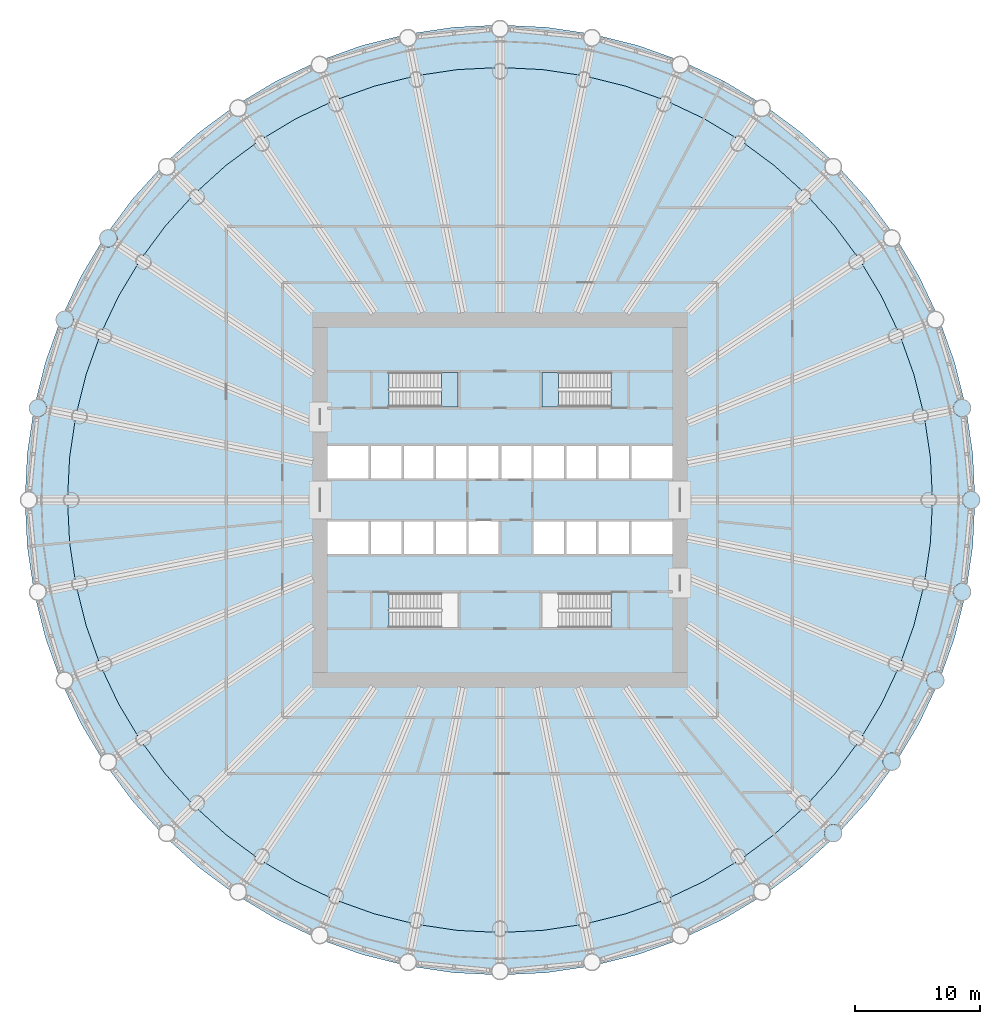
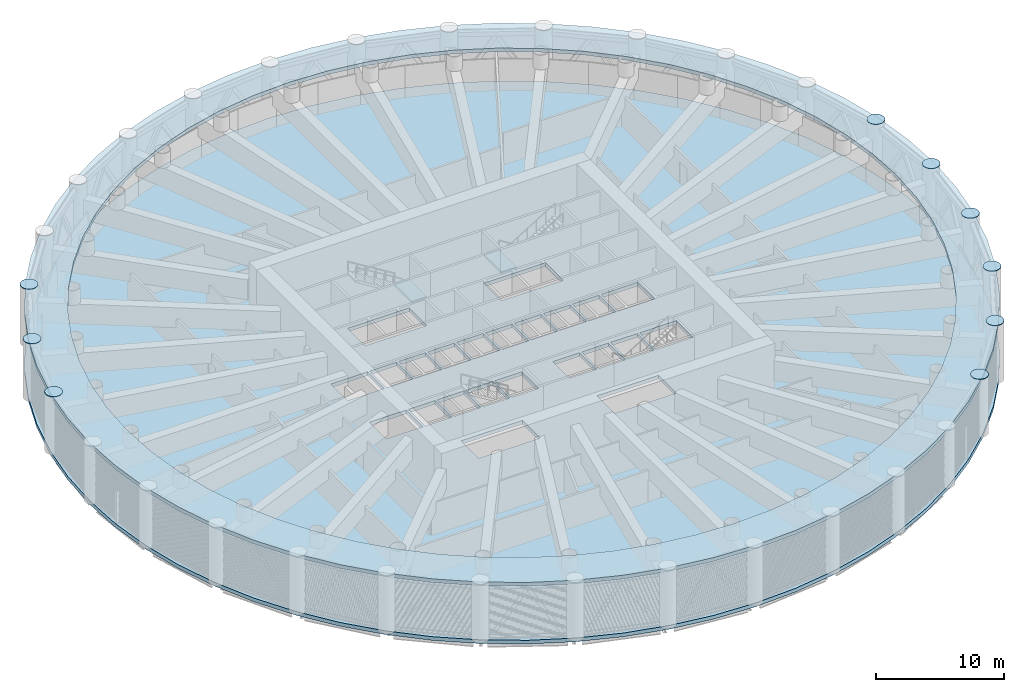
# One storey, part 6 of 26: 9 plates, 4 slabs, 2 elements without a shape of their own.
"""IFC4 building model written with IfcOpenShell, lengths in metres."""

from ifc_helpers import new_model, si_unit, direction, frame, origin, place, context, subcontext, project, spatial, polyline, outline, extrude, material, layer, layer_set, type_object, element, aggregate, save


model = new_model("IFC4")

# Units and contexts
model_context = context("Model", 3, precision=1e-05, world=origin(), true_north=direction((0.0, 1.0)))
body_context = subcontext(model_context, "Body", "Model", "MODEL_VIEW")
ifc_project = project(units=[si_unit("LENGTHUNIT", "METRE"), si_unit("AREAUNIT", "SQUARE_METRE"), si_unit("VOLUMEUNIT", "CUBIC_METRE"), si_unit("PLANEANGLEUNIT", "RADIAN"), si_unit("MASSUNIT", "GRAM", prefix="KILO")], contexts=[model_context])

# Site, building, storey
site_placement = place(None, origin())
site = spatial("IfcSite", under=ifc_project, at=site_placement, CompositionType="ELEMENT")
building_placement = place(site_placement, origin())
building = spatial("IfcBuilding", under=site, at=building_placement, Name="Corvane Civic Tower", CompositionType="ELEMENT")
storey_placement = place(building_placement, frame((0.0, 0.0, 85.0)))
storey = spatial("IfcBuildingStorey", under=building, at=storey_placement, Name="L19", CompositionType="ELEMENT", Elevation=85.0)

# Plates
ifc_material_1 = material(Name="Steel ASTM A572 Gr 50", Category="steel")
ifc_layer_1 = layer(ifc_material_1, 0.054931640625)
ifc_layer_set_1 = layer_set([ifc_layer_1], Name="Steel ASTM A572 Gr 50")
plate_type = type_object("IfcPlateType", Name="COLUMN CAP PLATE 55", PredefinedType="SHEET", material=ifc_layer_set_1)
plate_1_placement = place(storey_placement, frame((0.0, 0.0, 5.5)))
element("IfcPlate", 1, at=plate_1_placement, inside=storey, type_object=plate_type, Name="PL-L19-cap-A08", PredefinedType="SHEET", context=body_context, shape_type="SweptSolid", body=[
    extrude(outline(polyline([(37.675537109375, 7.35498046875), (37.669677734375, 7.4462890625), (37.651611328125, 7.5361328125), (37.622314453125, 7.622802734375), (37.581787109375, 7.705078125), (37.531005859375, 7.781005859375), (37.470703125, 7.85009765625), (37.401611328125, 7.910400390625), (37.32568359375, 7.961181640625), (37.243408203125, 8.001708984375), (37.15673828125, 8.031005859375), (37.06689453125, 8.049072265625), (36.9755859375, 8.054931640625), (36.88427734375, 8.049072265625), (36.79443359375, 8.031005859375), (36.707763671875, 8.001708984375), (36.62548828125, 7.961181640625), (36.549560546875, 7.910400390625), (36.480712890625, 7.85009765625), (36.420166015625, 7.781005859375), (36.369384765625, 7.705078125), (36.328857421875, 7.622802734375), (36.29931640625, 7.5361328125), (36.281494140625, 7.4462890625), (36.275634765625, 7.35498046875), (36.281494140625, 7.263671875), (36.29931640625, 7.173828125), (36.328857421875, 7.087158203125), (36.369384765625, 7.0048828125), (36.420166015625, 6.9287109375), (36.480712890625, 6.860107421875), (36.549560546875, 6.799560546875), (36.62548828125, 6.748779296875), (36.707763671875, 6.708251953125), (36.79443359375, 6.6787109375), (36.88427734375, 6.660888671875), (36.9755859375, 6.655029296875), (37.06689453125, 6.660888671875), (37.15673828125, 6.6787109375), (37.243408203125, 6.708251953125), (37.32568359375, 6.748779296875), (37.401611328125, 6.799560546875), (37.470703125, 6.860107421875), (37.531005859375, 6.9287109375), (37.581787109375, 7.0048828125), (37.622314453125, 7.087158203125), (37.651611328125, 7.173828125), (37.669677734375, 7.263671875), (37.675537109375, 7.35498046875)])), origin(), (0.0, 0.0, 1.0), 0.054931640625),
])
plate_2_placement = place(storey_placement, frame((0.0, 0.0, 5.5)))
element("IfcPlate", 2, at=plate_2_placement, inside=storey, type_object=plate_type, Name="PL-L19-cap-A09", PredefinedType="SHEET", context=body_context, shape_type="SweptSolid", body=[
    extrude(outline(polyline([(38.39990234375, 0.0), (38.39404296875, 0.09130859375), (38.376220703125, 0.18115234375), (38.3466796875, 0.267822265625), (38.30615234375, 0.35009765625), (38.25537109375, 0.426025390625), (38.19482421875, 0.4951171875), (38.126220703125, 0.555419921875), (38.050048828125, 0.606201171875), (37.9677734375, 0.646728515625), (37.881103515625, 0.676025390625), (37.791259765625, 0.694091796875), (37.699951171875, 0.699951171875), (37.608642578125, 0.694091796875), (37.518798828125, 0.676025390625), (37.43212890625, 0.646728515625), (37.35009765625, 0.606201171875), (37.273681640625, 0.555419921875), (37.205078125, 0.4951171875), (37.14453125, 0.426025390625), (37.09375, 0.35009765625), (37.05322265625, 0.267822265625), (37.023681640625, 0.18115234375), (37.005859375, 0.09130859375), (37.0, 0.0), (37.005859375, -0.09130859375), (37.023681640625, -0.18115234375), (37.05322265625, -0.267822265625), (37.09375, -0.35009765625), (37.14453125, -0.426025390625), (37.205078125, -0.4951171875), (37.273681640625, -0.555419921875), (37.35009765625, -0.606201171875), (37.43212890625, -0.646728515625), (37.518798828125, -0.676025390625), (37.608642578125, -0.694091796875), (37.699951171875, -0.699951171875), (37.791259765625, -0.694091796875), (37.881103515625, -0.676025390625), (37.9677734375, -0.646728515625), (38.050048828125, -0.606201171875), (38.126220703125, -0.555419921875), (38.19482421875, -0.4951171875), (38.25537109375, -0.426025390625), (38.30615234375, -0.35009765625), (38.3466796875, -0.267822265625), (38.376220703125, -0.18115234375), (38.39404296875, -0.09130859375), (38.39990234375, 0.0)])), origin(), (0.0, 0.0, 1.0), 0.054931640625),
])
plate_3_placement = place(storey_placement, frame((0.0, 0.0, 5.5)))
element("IfcPlate", 3, at=plate_3_placement, inside=storey, type_object=plate_type, Name="PL-L19-cap-A10", PredefinedType="SHEET", context=body_context, shape_type="SweptSolid", body=[
    extrude(outline(polyline([(37.675537109375, -7.35498046875), (37.669677734375, -7.263671875), (37.651611328125, -7.173828125), (37.622314453125, -7.087158203125), (37.581787109375, -7.0048828125), (37.531005859375, -6.9287109375), (37.470703125, -6.860107421875), (37.401611328125, -6.799560546875), (37.32568359375, -6.748779296875), (37.243408203125, -6.708251953125), (37.15673828125, -6.6787109375), (37.06689453125, -6.660888671875), (36.9755859375, -6.655029296875), (36.88427734375, -6.660888671875), (36.79443359375, -6.6787109375), (36.707763671875, -6.708251953125), (36.62548828125, -6.748779296875), (36.549560546875, -6.799560546875), (36.480712890625, -6.860107421875), (36.420166015625, -6.9287109375), (36.369384765625, -7.0048828125), (36.328857421875, -7.087158203125), (36.29931640625, -7.173828125), (36.281494140625, -7.263671875), (36.275634765625, -7.35498046875), (36.281494140625, -7.4462890625), (36.29931640625, -7.5361328125), (36.328857421875, -7.622802734375), (36.369384765625, -7.705078125), (36.420166015625, -7.781005859375), (36.480712890625, -7.85009765625), (36.549560546875, -7.910400390625), (36.62548828125, -7.961181640625), (36.707763671875, -8.001708984375), (36.79443359375, -8.031005859375), (36.88427734375, -8.049072265625), (36.9755859375, -8.054931640625), (37.06689453125, -8.049072265625), (37.15673828125, -8.031005859375), (37.243408203125, -8.001708984375), (37.32568359375, -7.961181640625), (37.401611328125, -7.910400390625), (37.470703125, -7.85009765625), (37.531005859375, -7.781005859375), (37.581787109375, -7.705078125), (37.622314453125, -7.622802734375), (37.651611328125, -7.5361328125), (37.669677734375, -7.4462890625), (37.675537109375, -7.35498046875)])), origin(), (0.0, 0.0, 1.0), 0.054931640625),
])
plate_4_placement = place(storey_placement, frame((0.0, 0.0, 5.5)))
element("IfcPlate", 4, at=plate_4_placement, inside=storey, type_object=plate_type, Name="PL-L19-cap-A11", PredefinedType="SHEET", context=body_context, shape_type="SweptSolid", body=[
    extrude(outline(polyline([(35.5302734375, -14.42724609375), (35.5244140625, -14.3359375), (35.506591796875, -14.24609375), (35.47705078125, -14.159423828125), (35.4365234375, -14.0771484375), (35.3857421875, -14.001220703125), (35.3251953125, -13.932373046875), (35.256591796875, -13.871826171875), (35.180419921875, -13.821044921875), (35.09814453125, -13.780517578125), (35.011474609375, -13.751220703125), (34.921630859375, -13.733154296875), (34.830322265625, -13.727294921875), (34.739013671875, -13.733154296875), (34.649169921875, -13.751220703125), (34.5625, -13.780517578125), (34.480224609375, -13.821044921875), (34.404296875, -13.871826171875), (34.335205078125, -13.932373046875), (34.27490234375, -14.001220703125), (34.22412109375, -14.0771484375), (34.18359375, -14.159423828125), (34.154296875, -14.24609375), (34.13623046875, -14.3359375), (34.13037109375, -14.42724609375), (34.13623046875, -14.5185546875), (34.154296875, -14.6083984375), (34.18359375, -14.695068359375), (34.22412109375, -14.777099609375), (34.27490234375, -14.853515625), (34.335205078125, -14.922119140625), (34.404296875, -14.982666015625), (34.480224609375, -15.033447265625), (34.5625, -15.073974609375), (34.649169921875, -15.103515625), (34.739013671875, -15.121337890625), (34.830322265625, -15.127197265625), (34.921630859375, -15.121337890625), (35.011474609375, -15.103515625), (35.09814453125, -15.073974609375), (35.180419921875, -15.033447265625), (35.256591796875, -14.982666015625), (35.3251953125, -14.922119140625), (35.3857421875, -14.853515625), (35.4365234375, -14.777099609375), (35.47705078125, -14.695068359375), (35.506591796875, -14.6083984375), (35.5244140625, -14.5185546875), (35.5302734375, -14.42724609375)])), origin(), (0.0, 0.0, 1.0), 0.054931640625),
])
plate_5_placement = place(storey_placement, frame((0.0, 0.0, 5.5)))
element("IfcPlate", 5, at=plate_5_placement, inside=storey, type_object=plate_type, Name="PL-L19-cap-A12", PredefinedType="SHEET", context=body_context, shape_type="SweptSolid", body=[
    extrude(outline(polyline([(32.04638671875, -20.945068359375), (32.040283203125, -20.853759765625), (32.022705078125, -20.763916015625), (31.9931640625, -20.67724609375), (31.95263671875, -20.59521484375), (31.90185546875, -20.518798828125), (31.84130859375, -20.4501953125), (31.772705078125, -20.3896484375), (31.6962890625, -20.3388671875), (31.6142578125, -20.29833984375), (31.527587890625, -20.268798828125), (31.437744140625, -20.251220703125), (31.346435546875, -20.2451171875), (31.255126953125, -20.251220703125), (31.165283203125, -20.268798828125), (31.07861328125, -20.29833984375), (30.996337890625, -20.3388671875), (30.92041015625, -20.3896484375), (30.8515625, -20.4501953125), (30.791015625, -20.518798828125), (30.740234375, -20.59521484375), (30.69970703125, -20.67724609375), (30.67041015625, -20.763916015625), (30.65234375, -20.853759765625), (30.646484375, -20.945068359375), (30.65234375, -21.036376953125), (30.67041015625, -21.126220703125), (30.69970703125, -21.212890625), (30.740234375, -21.295166015625), (30.791015625, -21.37109375), (30.8515625, -21.43994140625), (30.92041015625, -21.50048828125), (30.996337890625, -21.55126953125), (31.07861328125, -21.591796875), (31.165283203125, -21.62109375), (31.255126953125, -21.63916015625), (31.346435546875, -21.64501953125), (31.437744140625, -21.63916015625), (31.527587890625, -21.62109375), (31.6142578125, -21.591796875), (31.6962890625, -21.55126953125), (31.772705078125, -21.50048828125), (31.84130859375, -21.43994140625), (31.90185546875, -21.37109375), (31.95263671875, -21.295166015625), (31.9931640625, -21.212890625), (32.022705078125, -21.126220703125), (32.040283203125, -21.036376953125), (32.04638671875, -20.945068359375)])), origin(), (0.0, 0.0, 1.0), 0.054931640625),
])
plate_6_placement = place(storey_placement, frame((0.0, 0.0, 5.5)))
element("IfcPlate", 6, at=plate_6_placement, inside=storey, type_object=plate_type, Name="PL-L19-cap-A13", PredefinedType="SHEET", context=body_context, shape_type="SweptSolid", body=[
    extrude(outline(polyline([(27.35791015625, -26.657958984375), (27.35205078125, -26.566650390625), (27.333984375, -26.476806640625), (27.3046875, -26.39013671875), (27.26416015625, -26.30810546875), (27.21337890625, -26.231689453125), (27.15283203125, -26.1630859375), (27.083984375, -26.1025390625), (27.008056640625, -26.0517578125), (26.92578125, -26.01123046875), (26.839111328125, -25.981689453125), (26.749267578125, -25.9638671875), (26.657958984375, -25.9580078125), (26.566650390625, -25.9638671875), (26.476806640625, -25.981689453125), (26.39013671875, -26.01123046875), (26.30810546875, -26.0517578125), (26.231689453125, -26.1025390625), (26.1630859375, -26.1630859375), (26.1025390625, -26.231689453125), (26.0517578125, -26.30810546875), (26.01123046875, -26.39013671875), (25.981689453125, -26.476806640625), (25.9638671875, -26.566650390625), (25.9580078125, -26.657958984375), (25.9638671875, -26.749267578125), (25.981689453125, -26.839111328125), (26.01123046875, -26.92578125), (26.0517578125, -27.008056640625), (26.1025390625, -27.083984375), (26.1630859375, -27.15283203125), (26.231689453125, -27.21337890625), (26.30810546875, -27.26416015625), (26.39013671875, -27.3046875), (26.476806640625, -27.333984375), (26.566650390625, -27.35205078125), (26.657958984375, -27.35791015625), (26.749267578125, -27.35205078125), (26.839111328125, -27.333984375), (26.92578125, -27.3046875), (27.008056640625, -27.26416015625), (27.083984375, -27.21337890625), (27.15283203125, -27.15283203125), (27.21337890625, -27.083984375), (27.26416015625, -27.008056640625), (27.3046875, -26.92578125), (27.333984375, -26.839111328125), (27.35205078125, -26.749267578125), (27.35791015625, -26.657958984375)])), origin(), (0.0, 0.0, 1.0), 0.054931640625),
])
plate_7_placement = place(storey_placement, frame((0.0, 0.0, 5.5)))
element("IfcPlate", 7, at=plate_7_placement, inside=storey, type_object=plate_type, Name="PL-L19-cap-A26", PredefinedType="SHEET", context=body_context, shape_type="SweptSolid", body=[
    extrude(outline(polyline([(-36.275634765625, 7.35498046875), (-36.281494140625, 7.4462890625), (-36.29931640625, 7.5361328125), (-36.328857421875, 7.622802734375), (-36.369384765625, 7.705078125), (-36.420166015625, 7.781005859375), (-36.480712890625, 7.85009765625), (-36.549560546875, 7.910400390625), (-36.62548828125, 7.961181640625), (-36.707763671875, 8.001708984375), (-36.79443359375, 8.031005859375), (-36.88427734375, 8.049072265625), (-36.9755859375, 8.054931640625), (-37.06689453125, 8.049072265625), (-37.15673828125, 8.031005859375), (-37.243408203125, 8.001708984375), (-37.32568359375, 7.961181640625), (-37.401611328125, 7.910400390625), (-37.470703125, 7.85009765625), (-37.531005859375, 7.781005859375), (-37.581787109375, 7.705078125), (-37.622314453125, 7.622802734375), (-37.651611328125, 7.5361328125), (-37.669677734375, 7.4462890625), (-37.675537109375, 7.35498046875), (-37.669677734375, 7.263671875), (-37.651611328125, 7.173828125), (-37.622314453125, 7.087158203125), (-37.581787109375, 7.0048828125), (-37.531005859375, 6.9287109375), (-37.470703125, 6.860107421875), (-37.401611328125, 6.799560546875), (-37.32568359375, 6.748779296875), (-37.243408203125, 6.708251953125), (-37.15673828125, 6.6787109375), (-37.06689453125, 6.660888671875), (-36.9755859375, 6.655029296875), (-36.88427734375, 6.660888671875), (-36.79443359375, 6.6787109375), (-36.707763671875, 6.708251953125), (-36.62548828125, 6.748779296875), (-36.549560546875, 6.799560546875), (-36.480712890625, 6.860107421875), (-36.420166015625, 6.9287109375), (-36.369384765625, 7.0048828125), (-36.328857421875, 7.087158203125), (-36.29931640625, 7.173828125), (-36.281494140625, 7.263671875), (-36.275634765625, 7.35498046875)])), origin(), (0.0, 0.0, 1.0), 0.054931640625),
])
plate_8_placement = place(storey_placement, frame((0.0, 0.0, 5.5)))
element("IfcPlate", 8, at=plate_8_placement, inside=storey, type_object=plate_type, Name="PL-L19-cap-A27", PredefinedType="SHEET", context=body_context, shape_type="SweptSolid", body=[
    extrude(outline(polyline([(-34.13037109375, 14.42724609375), (-34.13623046875, 14.5185546875), (-34.154296875, 14.6083984375), (-34.18359375, 14.695068359375), (-34.22412109375, 14.777099609375), (-34.27490234375, 14.853515625), (-34.335205078125, 14.922119140625), (-34.404296875, 14.982666015625), (-34.480224609375, 15.033447265625), (-34.5625, 15.073974609375), (-34.649169921875, 15.103515625), (-34.739013671875, 15.121337890625), (-34.830322265625, 15.127197265625), (-34.921630859375, 15.121337890625), (-35.011474609375, 15.103515625), (-35.09814453125, 15.073974609375), (-35.180419921875, 15.033447265625), (-35.256591796875, 14.982666015625), (-35.3251953125, 14.922119140625), (-35.3857421875, 14.853515625), (-35.4365234375, 14.777099609375), (-35.47705078125, 14.695068359375), (-35.506591796875, 14.6083984375), (-35.5244140625, 14.5185546875), (-35.5302734375, 14.42724609375), (-35.5244140625, 14.3359375), (-35.506591796875, 14.24609375), (-35.47705078125, 14.159423828125), (-35.4365234375, 14.0771484375), (-35.3857421875, 14.001220703125), (-35.3251953125, 13.932373046875), (-35.256591796875, 13.871826171875), (-35.180419921875, 13.821044921875), (-35.09814453125, 13.780517578125), (-35.011474609375, 13.751220703125), (-34.921630859375, 13.733154296875), (-34.830322265625, 13.727294921875), (-34.739013671875, 13.733154296875), (-34.649169921875, 13.751220703125), (-34.5625, 13.780517578125), (-34.480224609375, 13.821044921875), (-34.404296875, 13.871826171875), (-34.335205078125, 13.932373046875), (-34.27490234375, 14.001220703125), (-34.22412109375, 14.0771484375), (-34.18359375, 14.159423828125), (-34.154296875, 14.24609375), (-34.13623046875, 14.3359375), (-34.13037109375, 14.42724609375)])), origin(), (0.0, 0.0, 1.0), 0.054931640625),
])
plate_9_placement = place(storey_placement, frame((0.0, 0.0, 5.5)))
element("IfcPlate", 9, at=plate_9_placement, inside=storey, type_object=plate_type, Name="PL-L19-cap-A28", PredefinedType="SHEET", context=body_context, shape_type="SweptSolid", body=[
    extrude(outline(polyline([(-30.646484375, 20.945068359375), (-30.65234375, 21.036376953125), (-30.67041015625, 21.126220703125), (-30.69970703125, 21.212890625), (-30.740234375, 21.295166015625), (-30.791015625, 21.37109375), (-30.8515625, 21.43994140625), (-30.92041015625, 21.50048828125), (-30.996337890625, 21.55126953125), (-31.07861328125, 21.591796875), (-31.165283203125, 21.62109375), (-31.255126953125, 21.63916015625), (-31.346435546875, 21.64501953125), (-31.437744140625, 21.63916015625), (-31.527587890625, 21.62109375), (-31.6142578125, 21.591796875), (-31.6962890625, 21.55126953125), (-31.772705078125, 21.50048828125), (-31.84130859375, 21.43994140625), (-31.90185546875, 21.37109375), (-31.95263671875, 21.295166015625), (-31.9931640625, 21.212890625), (-32.022705078125, 21.126220703125), (-32.040283203125, 21.036376953125), (-32.04638671875, 20.945068359375), (-32.040283203125, 20.853759765625), (-32.022705078125, 20.763916015625), (-31.9931640625, 20.67724609375), (-31.95263671875, 20.59521484375), (-31.90185546875, 20.518798828125), (-31.84130859375, 20.4501953125), (-31.772705078125, 20.3896484375), (-31.6962890625, 20.3388671875), (-31.6142578125, 20.29833984375), (-31.527587890625, 20.268798828125), (-31.437744140625, 20.251220703125), (-31.346435546875, 20.2451171875), (-31.255126953125, 20.251220703125), (-31.165283203125, 20.268798828125), (-31.07861328125, 20.29833984375), (-30.996337890625, 20.3388671875), (-30.92041015625, 20.3896484375), (-30.8515625, 20.4501953125), (-30.791015625, 20.518798828125), (-30.740234375, 20.59521484375), (-30.69970703125, 20.67724609375), (-30.67041015625, 20.763916015625), (-30.65234375, 20.853759765625), (-30.646484375, 20.945068359375)])), origin(), (0.0, 0.0, 1.0), 0.054931640625),
])

# Slabs
ifc_material_2 = material(Name="Concrete C40/50", Category="concrete")
ifc_layer_2 = layer(ifc_material_2, 0.35009765625)
ifc_layer_set_2 = layer_set([ifc_layer_2], Name="Concrete C40/50")
slab_type_1 = type_object("IfcSlabType", Name="FLOOR SLAB 350", PredefinedType="FLOOR", material=ifc_layer_set_2)
slab_1_placement = place(storey_placement, frame((0.0, 0.0, -0.35009765625)))
element("IfcSlab", 10, at=slab_1_placement, inside=storey, type_object=slab_type_1, Name="SLB-L19", PredefinedType="FLOOR", context=body_context, shape_type="SweptSolid", body=[
    extrude(outline(polyline([(0.0, 38.0), (-3.724609375, 37.817138671875), (-7.413330078125, 37.269775390625), (-11.03076171875, 36.36376953125), (-14.5419921875, 35.107421875), (-17.9130859375, 33.512939453125), (-21.111572265625, 31.595947265625), (-24.10693359375, 29.37451171875), (-26.8701171875, 26.8701171875), (-29.37451171875, 24.10693359375), (-31.595947265625, 21.111572265625), (-33.512939453125, 17.9130859375), (-35.107421875, 14.5419921875), (-36.36376953125, 11.03076171875), (-37.269775390625, 7.413330078125), (-37.817138671875, 3.724609375), (-38.0, 0.0), (-37.817138671875, -3.724609375), (-37.269775390625, -7.413330078125), (-36.36376953125, -11.03076171875), (-35.107421875, -14.5419921875), (-33.512939453125, -17.9130859375), (-31.595947265625, -21.111572265625), (-29.37451171875, -24.10693359375), (-26.8701171875, -26.8701171875), (-24.10693359375, -29.37451171875), (-21.111572265625, -31.595947265625), (-17.9130859375, -33.512939453125), (-14.5419921875, -35.107421875), (-11.03076171875, -36.36376953125), (-7.413330078125, -37.269775390625), (-3.724609375, -37.817138671875), (0.0, -38.0), (3.724609375, -37.817138671875), (7.413330078125, -37.269775390625), (11.03076171875, -36.36376953125), (14.5419921875, -35.107421875), (17.9130859375, -33.512939453125), (21.111572265625, -31.595947265625), (24.10693359375, -29.37451171875), (26.8701171875, -26.8701171875), (29.37451171875, -24.10693359375), (31.595947265625, -21.111572265625), (33.512939453125, -17.9130859375), (35.107421875, -14.5419921875), (36.36376953125, -11.03076171875), (37.269775390625, -7.413330078125), (37.817138671875, -3.724609375), (38.0, 0.0), (37.817138671875, 3.724609375), (37.269775390625, 7.413330078125), (36.36376953125, 11.03076171875), (35.107421875, 14.5419921875), (33.512939453125, 17.9130859375), (31.595947265625, 21.111572265625), (29.37451171875, 24.10693359375), (26.8701171875, 26.8701171875), (24.10693359375, 29.37451171875), (21.111572265625, 31.595947265625), (17.9130859375, 33.512939453125), (14.5419921875, 35.107421875), (11.03076171875, 36.36376953125), (7.413330078125, 37.269775390625), (3.724609375, 37.817138671875), (0.0, 38.0)]), holes=[polyline([(-13.800048828125, 4.300048828125), (-10.5, 4.300048828125), (-10.5, 1.699951171875), (-13.800048828125, 1.699951171875), (-13.800048828125, 4.300048828125)]), polyline([(-7.89990234375, 1.699951171875), (-10.300048828125, 1.699951171875), (-10.300048828125, 4.300048828125), (-7.89990234375, 4.300048828125), (-7.89990234375, 1.699951171875)]), polyline([(-5.300048828125, 1.699951171875), (-7.699951171875, 1.699951171875), (-7.699951171875, 4.300048828125), (-5.300048828125, 4.300048828125), (-5.300048828125, 1.699951171875)]), polyline([(-2.699951171875, 1.699951171875), (-5.10009765625, 1.699951171875), (-5.10009765625, 4.300048828125), (-2.699951171875, 4.300048828125), (-2.699951171875, 1.699951171875)]), polyline([(-2.5, 4.300048828125), (-0.10009765625, 4.300048828125), (-0.10009765625, 1.699951171875), (-2.5, 1.699951171875), (-2.5, 4.300048828125)]), polyline([(0.10009765625, 4.300048828125), (2.5, 4.300048828125), (2.5, 1.699951171875), (0.10009765625, 1.699951171875), (0.10009765625, 4.300048828125)]), polyline([(2.699951171875, 4.300048828125), (5.10009765625, 4.300048828125), (5.10009765625, 1.699951171875), (2.699951171875, 1.699951171875), (2.699951171875, 4.300048828125)]), polyline([(5.300048828125, 4.300048828125), (7.699951171875, 4.300048828125), (7.699951171875, 1.699951171875), (5.300048828125, 1.699951171875), (5.300048828125, 4.300048828125)]), polyline([(7.89990234375, 4.300048828125), (10.300048828125, 4.300048828125), (10.300048828125, 1.699951171875), (7.89990234375, 1.699951171875), (7.89990234375, 4.300048828125)]), polyline([(13.800048828125, 1.699951171875), (10.5, 1.699951171875), (10.5, 4.300048828125), (13.800048828125, 4.300048828125), (13.800048828125, 1.699951171875)]), polyline([(-13.800048828125, -1.699951171875), (-10.5, -1.699951171875), (-10.5, -4.300048828125), (-13.800048828125, -4.300048828125), (-13.800048828125, -1.699951171875)]), polyline([(-10.300048828125, -4.300048828125), (-10.300048828125, -1.699951171875), (-7.89990234375, -1.699951171875), (-7.89990234375, -4.300048828125), (-10.300048828125, -4.300048828125)]), polyline([(-7.699951171875, -4.300048828125), (-7.699951171875, -1.699951171875), (-5.300048828125, -1.699951171875), (-5.300048828125, -4.300048828125), (-7.699951171875, -4.300048828125)]), polyline([(-5.10009765625, -4.300048828125), (-5.10009765625, -1.699951171875), (-2.699951171875, -1.699951171875), (-2.699951171875, -4.300048828125), (-5.10009765625, -4.300048828125)]), polyline([(-0.10009765625, -1.699951171875), (-0.10009765625, -4.300048828125), (-2.5, -4.300048828125), (-2.5, -1.699951171875), (-0.10009765625, -1.699951171875)]), polyline([(5.10009765625, -1.699951171875), (5.10009765625, -4.300048828125), (2.699951171875, -4.300048828125), (2.699951171875, -1.699951171875), (5.10009765625, -1.699951171875)]), polyline([(7.699951171875, -1.699951171875), (7.699951171875, -4.300048828125), (5.300048828125, -4.300048828125), (5.300048828125, -1.699951171875), (7.699951171875, -1.699951171875)]), polyline([(10.300048828125, -1.699951171875), (10.300048828125, -4.300048828125), (7.89990234375, -4.300048828125), (7.89990234375, -1.699951171875), (10.300048828125, -1.699951171875)]), polyline([(13.800048828125, -4.300048828125), (10.5, -4.300048828125), (10.5, -1.699951171875), (13.800048828125, -1.699951171875), (13.800048828125, -4.300048828125)]), polyline([(8.889892578125, 10.199951171875), (8.889892578125, 7.449951171875), (3.35009765625, 7.449951171875), (3.35009765625, 10.199951171875), (8.889892578125, 10.199951171875)]), polyline([(-8.889892578125, 7.449951171875), (-8.889892578125, 10.199951171875), (-3.35009765625, 10.199951171875), (-3.35009765625, 7.449951171875), (-8.889892578125, 7.449951171875)]), polyline([(8.889892578125, -7.449951171875), (8.889892578125, -10.199951171875), (3.35009765625, -10.199951171875), (3.35009765625, -7.449951171875), (8.889892578125, -7.449951171875)]), polyline([(-8.889892578125, -10.199951171875), (-8.889892578125, -7.449951171875), (-3.35009765625, -7.449951171875), (-3.35009765625, -10.199951171875), (-8.889892578125, -10.199951171875)])]), origin(), (0.0, 0.0, 1.0), 0.35009765625),
])
ifc_material_3 = material(Name="Concrete C40/50", Category="concrete")
ifc_layer_3 = layer(ifc_material_3, 0.35009765625)
ifc_layer_set_3 = layer_set([ifc_layer_3], Name="Concrete C40/50")
slab_type_2 = type_object("IfcSlabType", Name="SETBACK ROOF SLAB 350", PredefinedType="ROOF", material=ifc_layer_set_3)
slab_2_placement = place(storey_placement, frame((0.0, 0.0, 5.14990234375)))
element("IfcSlab", 11, at=slab_2_placement, inside=storey, type_object=slab_type_2, Name="SLB-L19-roof", PredefinedType="ROOF", context=body_context, shape_type="SweptSolid", body=[
    extrude(outline(polyline([(0.0, 38.0), (-3.724609375, 37.817138671875), (-7.413330078125, 37.269775390625), (-11.03076171875, 36.36376953125), (-14.5419921875, 35.107421875), (-17.9130859375, 33.512939453125), (-21.111572265625, 31.595947265625), (-24.10693359375, 29.37451171875), (-26.8701171875, 26.8701171875), (-29.37451171875, 24.10693359375), (-31.595947265625, 21.111572265625), (-33.512939453125, 17.9130859375), (-35.107421875, 14.5419921875), (-36.36376953125, 11.03076171875), (-37.269775390625, 7.413330078125), (-37.817138671875, 3.724609375), (-38.0, 0.0), (-37.817138671875, -3.724609375), (-37.269775390625, -7.413330078125), (-36.36376953125, -11.03076171875), (-35.107421875, -14.5419921875), (-33.512939453125, -17.9130859375), (-31.595947265625, -21.111572265625), (-29.37451171875, -24.10693359375), (-26.8701171875, -26.8701171875), (-24.10693359375, -29.37451171875), (-21.111572265625, -31.595947265625), (-17.9130859375, -33.512939453125), (-14.5419921875, -35.107421875), (-11.03076171875, -36.36376953125), (-7.413330078125, -37.269775390625), (-3.724609375, -37.817138671875), (0.0, -38.0), (3.724609375, -37.817138671875), (7.413330078125, -37.269775390625), (11.03076171875, -36.36376953125), (14.5419921875, -35.107421875), (17.9130859375, -33.512939453125), (21.111572265625, -31.595947265625), (24.10693359375, -29.37451171875), (26.8701171875, -26.8701171875), (29.37451171875, -24.10693359375), (31.595947265625, -21.111572265625), (33.512939453125, -17.9130859375), (35.107421875, -14.5419921875), (36.36376953125, -11.03076171875), (37.269775390625, -7.413330078125), (37.817138671875, -3.724609375), (38.0, 0.0), (37.817138671875, 3.724609375), (37.269775390625, 7.413330078125), (36.36376953125, 11.03076171875), (35.107421875, 14.5419921875), (33.512939453125, 17.9130859375), (31.595947265625, 21.111572265625), (29.37451171875, 24.10693359375), (26.8701171875, 26.8701171875), (24.10693359375, 29.37451171875), (21.111572265625, 31.595947265625), (17.9130859375, 33.512939453125), (14.5419921875, 35.107421875), (11.03076171875, 36.36376953125), (7.413330078125, 37.269775390625), (3.724609375, 37.817138671875), (0.0, 38.0)]), holes=[polyline([(0.0, 34.60009765625), (-3.391357421875, 34.433349609375), (-6.750244140625, 33.93505859375), (-10.0439453125, 33.110107421875), (-13.240966796875, 31.96630859375), (-16.310302734375, 30.514404296875), (-19.22265625, 28.768798828125), (-21.949951171875, 26.74609375), (-24.4658203125, 24.4658203125), (-26.74609375, 21.949951171875), (-28.768798828125, 19.22265625), (-30.514404296875, 16.310302734375), (-31.96630859375, 13.240966796875), (-33.110107421875, 10.0439453125), (-33.93505859375, 6.750244140625), (-34.433349609375, 3.391357421875), (-34.60009765625, 0.0), (-34.433349609375, -3.391357421875), (-33.93505859375, -6.750244140625), (-33.110107421875, -10.0439453125), (-31.96630859375, -13.240966796875), (-30.514404296875, -16.310302734375), (-28.768798828125, -19.22265625), (-26.74609375, -21.949951171875), (-24.4658203125, -24.4658203125), (-21.949951171875, -26.74609375), (-19.22265625, -28.768798828125), (-16.310302734375, -30.514404296875), (-13.240966796875, -31.96630859375), (-10.0439453125, -33.110107421875), (-6.750244140625, -33.93505859375), (-3.391357421875, -34.433349609375), (0.0, -34.60009765625), (3.391357421875, -34.433349609375), (6.750244140625, -33.93505859375), (10.0439453125, -33.110107421875), (13.240966796875, -31.96630859375), (16.310302734375, -30.514404296875), (19.22265625, -28.768798828125), (21.949951171875, -26.74609375), (24.4658203125, -24.4658203125), (26.74609375, -21.949951171875), (28.768798828125, -19.22265625), (30.514404296875, -16.310302734375), (31.96630859375, -13.240966796875), (33.110107421875, -10.0439453125), (33.93505859375, -6.750244140625), (34.433349609375, -3.391357421875), (34.60009765625, 0.0), (34.433349609375, 3.391357421875), (33.93505859375, 6.750244140625), (33.110107421875, 10.0439453125), (31.96630859375, 13.240966796875), (30.514404296875, 16.310302734375), (28.768798828125, 19.22265625), (26.74609375, 21.949951171875), (24.4658203125, 24.4658203125), (21.949951171875, 26.74609375), (19.22265625, 28.768798828125), (16.310302734375, 30.514404296875), (13.240966796875, 31.96630859375), (10.0439453125, 33.110107421875), (6.750244140625, 33.93505859375), (3.391357421875, 34.433349609375), (0.0, 34.60009765625)])]), origin(), (0.0, 0.0, 1.0), 0.35009765625),
])

# Stair, slab
ifc_material_4 = material(Name="Concrete C40/50", Category="concrete")
stair_type = type_object("IfcStairType", Name="ST-STAIR-HALFTURN", PredefinedType="HALF_TURN_STAIR", material=ifc_material_4)
stair_1_placement = place(storey_placement, origin())
stair_1 = element("IfcStair", 12, at=stair_1_placement, inside=storey, type_object=stair_type, Name="L19 Exit stair ST1", PredefinedType="HALF_TURN_STAIR")
ifc_material_5 = material(Name="Concrete C40/50", Category="concrete")
ifc_layer_4 = layer(ifc_material_5, 0.199951171875)
ifc_layer_set_4 = layer_set([ifc_layer_4], Name="Concrete C40/50")
slab_type_3 = type_object("IfcSlabType", Name="ST-LANDING-RC", PredefinedType="LANDING", material=ifc_layer_set_4)
slab_3_placement = place(storey_placement, frame((0.0, 0.0, 2.550048828125)))
slab_3 = element("IfcSlab", 13, at=slab_3_placement, type_object=slab_type_3, Name="ST1 landing 1", PredefinedType="LANDING", context=body_context, shape_type="SweptSolid", body=[
    extrude(outline(polyline([(4.699951171875, 10.199951171875), (3.35009765625, 10.199951171875), (3.35009765625, 7.449951171875), (4.699951171875, 7.449951171875), (4.699951171875, 10.199951171875)])), origin(), (0.0, 0.0, 1.0), 0.199951171875),
])
aggregate(stair_1, [slab_3])

stair_2_placement = place(storey_placement, origin())
stair_2 = element("IfcStair", 14, at=stair_2_placement, inside=storey, type_object=stair_type, Name="L19 Exit stair ST4", PredefinedType="HALF_TURN_STAIR")
slab_4_placement = place(storey_placement, frame((0.0, 0.0, 2.550048828125)))
slab_4 = element("IfcSlab", 15, at=slab_4_placement, type_object=slab_type_3, Name="ST4 landing 1", PredefinedType="LANDING", context=body_context, shape_type="SweptSolid", body=[
    extrude(outline(polyline([(-4.699951171875, 7.449951171875), (-3.35009765625, 7.449951171875), (-3.35009765625, 10.199951171875), (-4.699951171875, 10.199951171875), (-4.699951171875, 7.449951171875)])), origin(), (0.0, 0.0, 1.0), 0.199951171875),
])
aggregate(stair_2, [slab_4])

save(model, "model.ifc")
